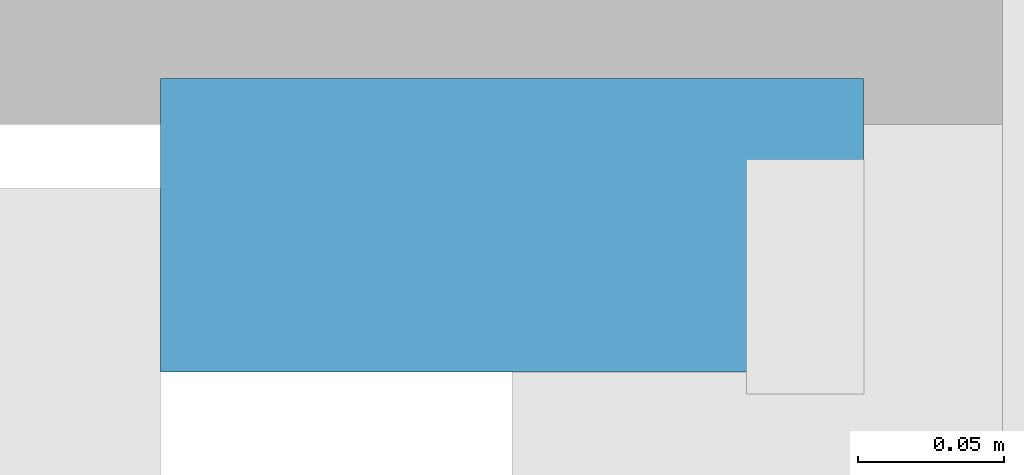
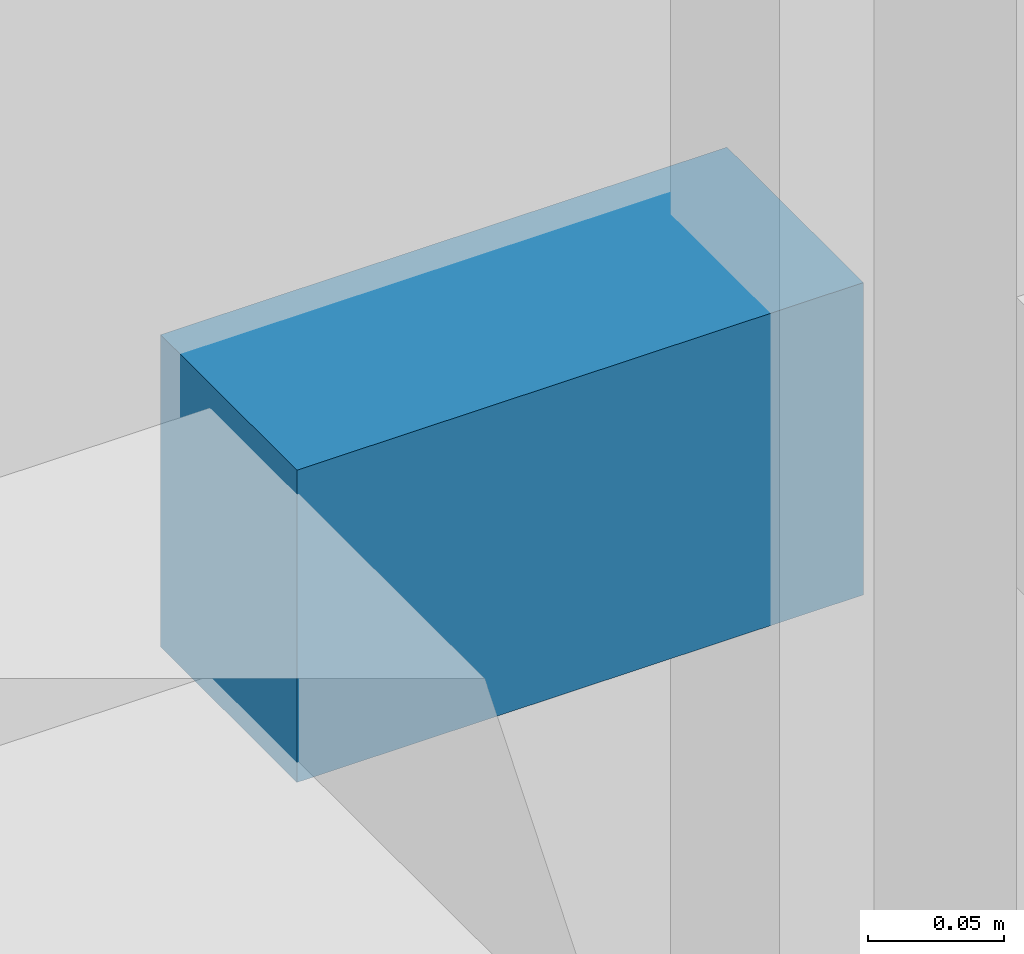
# One storey, part 21 of 39: 1 discrete accessory.
"""IFC4 building model written with IfcOpenShell, lengths in metres."""

from ifc_helpers import new_model, si_unit, direction, frame, origin, origin_2d, place, context, subcontext, project, spatial, rectangle, extrude, material, type_object, element, save


model = new_model("IFC4")

# Units and contexts
model_context = context("Model", 3, precision=1e-05, world=origin(), true_north=direction((0.0, 1.0)))
body_context = subcontext(model_context, "Body", "Model", "MODEL_VIEW")
ifc_project = project(units=[si_unit("LENGTHUNIT", "METRE"), si_unit("AREAUNIT", "SQUARE_METRE"), si_unit("VOLUMEUNIT", "CUBIC_METRE"), si_unit("PLANEANGLEUNIT", "RADIAN"), si_unit("MASSUNIT", "GRAM", prefix="KILO")], contexts=[model_context])

# Site, building, storey
site_placement = place(None, origin())
site = spatial("IfcSite", under=ifc_project, at=site_placement, CompositionType="ELEMENT")
building_placement = place(site_placement, origin())
building = spatial("IfcBuilding", under=site, at=building_placement, Name="Telukmera Botanical Conservatory", CompositionType="ELEMENT")
storey_placement = place(building_placement, frame((0.0, 0.0, 19.5)))
storey = spatial("IfcBuildingStorey", under=building, at=storey_placement, Name="L04", CompositionType="ELEMENT", Elevation=19.5)

# Discrete accessory
ifc_material = material(Name="Steel S355", Category="steel")
discrete_accessory_type = type_object("IfcDiscreteAccessoryType", Name="Structural Steel Facade Outrigger Fin Bracket", PredefinedType="BRACKET", material=ifc_material)
discrete_accessory_placement = place(storey_placement, frame((50.199951171875, 42.340576171875, 0.8798828125), z_axis=(0.0, 0.0, 1.0), x_axis=(0.0, 1.0, 0.0)))
element("IfcDiscreteAccessory", 1, at=discrete_accessory_placement, inside=storey, type_object=discrete_accessory_type, Name="Facade Outrigger Bracket V4:L04:W4 B", PredefinedType="BRACKET", context=body_context, shape_type="SweptSolid", body=[
    extrude(rectangle(XDim=0.10009765625, YDim=0.239990234375, at=origin_2d()), origin(), (0.0, 0.0, 1.0), 0.139892578125),
])

save(model, "model.ifc")
